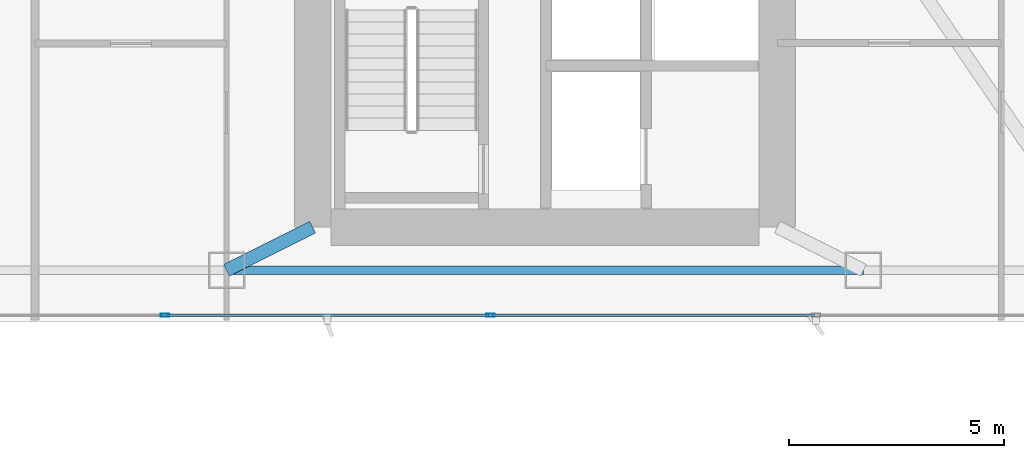
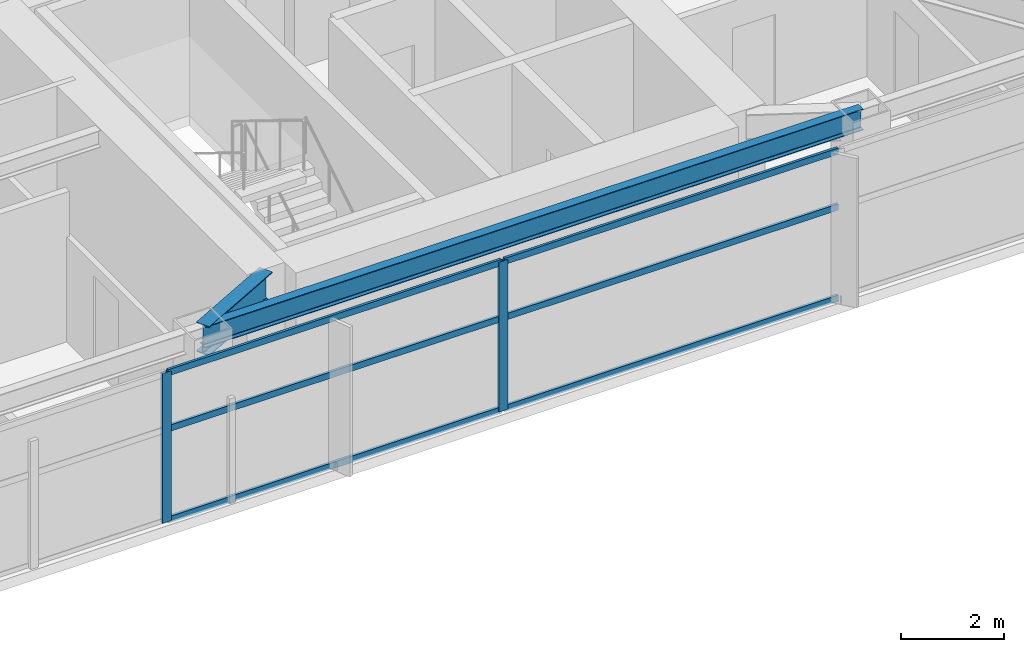
# One storey, part 6 of 28: 8 members, 2 beams, 1 element without a shape of its own.
"""IFC4 building model written with IfcOpenShell, lengths in metres."""

from ifc_helpers import new_model, si_unit, direction, frame, origin, origin_2d, place, context, subcontext, project, spatial, hollow_rectangle, i_section, extrude, material, layer, layer_set, material_profile, profile_set, type_object, element, aggregate, save


model = new_model("IFC4")

# Units and contexts
model_context = context("Model", 3, precision=1e-05, world=origin(), true_north=direction((0.0, 1.0)))
body_context = subcontext(model_context, "Body", "Model", "MODEL_VIEW")
ifc_project = project(units=[si_unit("LENGTHUNIT", "METRE"), si_unit("AREAUNIT", "SQUARE_METRE"), si_unit("VOLUMEUNIT", "CUBIC_METRE"), si_unit("PLANEANGLEUNIT", "RADIAN"), si_unit("MASSUNIT", "GRAM", prefix="KILO")], contexts=[model_context])

# Site, building, storey
site_placement = place(None, origin())
site = spatial("IfcSite", under=ifc_project, at=site_placement, CompositionType="ELEMENT")
building_placement = place(site_placement, origin())
building = spatial("IfcBuilding", under=site, at=building_placement, Name="Calvorn Quay Hotel", CompositionType="ELEMENT")
storey_placement = place(building_placement, frame((0.0, 0.0, 112.60009765625)))
storey = spatial("IfcBuildingStorey", under=building, at=storey_placement, Name="L27", CompositionType="ELEMENT", Elevation=112.60009765625)

# Beams
ifc_material_1 = material(Name="Steel Q390GJC", Category="steel")
ifc_material_profile_1 = material_profile(ifc_material_1, i_section(OverallWidth=0.300048828125, OverallDepth=0.699951171875, WebThickness=0.012939453125, FlangeThickness=0.02392578125, FilletRadius=0.02392578125, at=origin_2d()), Name="HN700x300x13x24")
ifc_profile_set_1 = profile_set([ifc_material_profile_1], Name="Steel Q390GJC")
beam_type_1 = type_object("IfcBeamType", Name="BM-GIRD-MAIN", PredefinedType="BEAM", material=ifc_profile_set_1)
beam_1_placement = place(storey_placement, frame((19.60009765625, 3.60009765625, 3.18994140625), z_axis=(0.894427191, 0.4472135955, 0.0), x_axis=(-0.4472135955, 0.894427191, 0.0)))
element("IfcBeam", 1, at=beam_1_placement, inside=storey, type_object=beam_type_1, Name="Beam BG-L27-S2", PredefinedType="BEAM", context=body_context, shape_type="SweptSolid", body=[
    extrude(i_section(OverallWidth=0.300048828125, OverallDepth=0.699951171875, WebThickness=0.012939453125, FlangeThickness=0.02392578125, FilletRadius=0.02392578125, at=origin_2d()), origin(), (0.0, 0.0, 1.0), 2.236083984375),
])
ifc_material_2 = material(Name="Steel Q355B", Category="steel")
ifc_material_profile_2 = material_profile(ifc_material_2, i_section(OverallWidth=0.199951171875, OverallDepth=0.5, WebThickness=0.010009765625, FlangeThickness=0.01611328125, FilletRadius=0.01611328125, at=origin_2d()), Name="HN500x200x10x16")
ifc_profile_set_2 = profile_set([ifc_material_profile_2], Name="Steel Q355B")
beam_type_2 = type_object("IfcBeamType", Name="BM-SPANDREL-Z1", PredefinedType="SPANDREL", material=ifc_profile_set_2)
beam_2_placement = place(storey_placement, frame((19.60009765625, 3.60009765625, 3.289794921875), z_axis=(1.0, 0.0, 0.0), x_axis=(0.0, 1.0, 0.0)))
element("IfcBeam", 2, at=beam_2_placement, inside=storey, type_object=beam_type_2, Name="Beam BSP-L27-S3", PredefinedType="SPANDREL", context=body_context, shape_type="SweptSolid", body=[
    extrude(i_section(OverallWidth=0.199951171875, OverallDepth=0.5, WebThickness=0.010009765625, FlangeThickness=0.01611328125, FilletRadius=0.01611328125, at=origin_2d()), origin(), (0.0, 0.0, 1.0), 14.7998046875),
])

# Curtain wall, members
ifc_material_3 = material(Name="Pale Anodised Aluminium and Low-E Glass", Category="aluminium")
ifc_layer = layer(ifc_material_3, 0.219970703125)
ifc_layer_set = layer_set([ifc_layer], Name="CW-SYS-Z2")
curtain_wall_type = type_object("IfcCurtainWallType", Name="CW-SYS-Z2", PredefinedType="NOTDEFINED", material=ifc_layer_set)
curtain_wall_placement = place(storey_placement, origin())
curtain_wall = element("IfcCurtainWall", 3, at=curtain_wall_placement, inside=storey, type_object=curtain_wall_type, Name="Tower South Waterfront Curtain Wall (L27)", PredefinedType="NOTDEFINED")
ifc_material_4 = material(Name="Pale Anodised Aluminium 6063-T6", Category="aluminium")
ifc_material_profile_3 = material_profile(ifc_material_4, hollow_rectangle(XDim=0.070068359375, YDim=0.199951171875, WallThickness=0.00390625, at=origin_2d()), Name="ALU-M200x70x4")
ifc_profile_set_3 = profile_set([ifc_material_profile_3], Name="Pale Anodised Aluminium 6063-T6")
member_type_1 = type_object("IfcMemberType", Name="CW-SYS-Z2-MUL", PredefinedType="MULLION", material=ifc_profile_set_3)
member_1_placement = place(storey_placement, frame((18.166748046875, 2.550048828125, 0.0), z_axis=(0.0, 0.0, 1.0), x_axis=(0.0, 1.0, 0.0)))
member_1 = element("IfcMember", 4, at=member_1_placement, type_object=member_type_1, Name="CW-L27-S mullion 2", PredefinedType="MULLION", context=body_context, shape_type="SweptSolid", body=[
    extrude(hollow_rectangle(XDim=0.070068359375, YDim=0.199951171875, WallThickness=0.00390625, at=origin_2d()), origin(), (0.0, 0.0, 1.0), 3.559814453125),
])
member_2_placement = place(storey_placement, frame((25.7333984375, 2.550048828125, 0.0), z_axis=(0.0, 0.0, 1.0), x_axis=(0.0, 1.0, 0.0)))
member_2 = element("IfcMember", 5, at=member_2_placement, type_object=member_type_1, Name="CW-L27-S mullion 3", PredefinedType="MULLION", context=body_context, shape_type="SweptSolid", body=[
    extrude(hollow_rectangle(XDim=0.070068359375, YDim=0.199951171875, WallThickness=0.00390625, at=origin_2d()), origin(), (0.0, 0.0, 1.0), 3.559814453125),
])
ifc_material_5 = material(Name="Pale Anodised Aluminium 6063-T6", Category="aluminium")
ifc_material_profile_4 = material_profile(ifc_material_5, hollow_rectangle(XDim=0.06005859375, YDim=0.14990234375, WallThickness=0.00341796875, at=origin_2d()), Name="ALU-T150x60x3.5")
ifc_profile_set_4 = profile_set([ifc_material_profile_4], Name="Pale Anodised Aluminium 6063-T6")
member_type_2 = type_object("IfcMemberType", Name="CW-SYS-Z2-TRN", PredefinedType="USERDEFINED", material=ifc_profile_set_4)
member_3_placement = place(storey_placement, frame((18.19677734375, 2.550048828125, 0.02978515625), z_axis=(1.0, 0.0, 0.0), x_axis=(0.0, 1.0, 0.0)))
member_3 = element("IfcMember", 6, at=member_3_placement, type_object=member_type_2, Name="CW-L27-S transom 2.1", ObjectType="TRANSOM", PredefinedType="USERDEFINED", context=body_context, shape_type="SweptSolid", body=[
    extrude(hollow_rectangle(XDim=0.06005859375, YDim=0.14990234375, WallThickness=0.00341796875, at=origin_2d()), origin(), (0.0, 0.0, 1.0), 7.506591796875),
])
member_4_placement = place(storey_placement, frame((18.19677734375, 2.550048828125, 2.199951171875), z_axis=(1.0, 0.0, 0.0), x_axis=(0.0, 1.0, 0.0)))
member_4 = element("IfcMember", 7, at=member_4_placement, type_object=member_type_2, Name="CW-L27-S transom 2.2", ObjectType="TRANSOM", PredefinedType="USERDEFINED", context=body_context, shape_type="SweptSolid", body=[
    extrude(hollow_rectangle(XDim=0.06005859375, YDim=0.14990234375, WallThickness=0.00341796875, at=origin_2d()), origin(), (0.0, 0.0, 1.0), 7.506591796875),
])
member_5_placement = place(storey_placement, frame((18.19677734375, 2.550048828125, 3.52978515625), z_axis=(1.0, 0.0, 0.0), x_axis=(0.0, 1.0, 0.0)))
member_5 = element("IfcMember", 8, at=member_5_placement, type_object=member_type_2, Name="CW-L27-S transom 2.3", ObjectType="TRANSOM", PredefinedType="USERDEFINED", context=body_context, shape_type="SweptSolid", body=[
    extrude(hollow_rectangle(XDim=0.06005859375, YDim=0.14990234375, WallThickness=0.00341796875, at=origin_2d()), origin(), (0.0, 0.0, 1.0), 7.506591796875),
])
member_6_placement = place(storey_placement, frame((25.763427734375, 2.550048828125, 0.02978515625), z_axis=(1.0, 0.0, 0.0), x_axis=(0.0, 1.0, 0.0)))
member_6 = element("IfcMember", 9, at=member_6_placement, type_object=member_type_2, Name="CW-L27-S transom 3.1", ObjectType="TRANSOM", PredefinedType="USERDEFINED", context=body_context, shape_type="SweptSolid", body=[
    extrude(hollow_rectangle(XDim=0.06005859375, YDim=0.14990234375, WallThickness=0.00341796875, at=origin_2d()), origin(), (0.0, 0.0, 1.0), 7.506591796875),
])
member_7_placement = place(storey_placement, frame((25.763427734375, 2.550048828125, 2.199951171875), z_axis=(1.0, 0.0, 0.0), x_axis=(0.0, 1.0, 0.0)))
member_7 = element("IfcMember", 10, at=member_7_placement, type_object=member_type_2, Name="CW-L27-S transom 3.2", ObjectType="TRANSOM", PredefinedType="USERDEFINED", context=body_context, shape_type="SweptSolid", body=[
    extrude(hollow_rectangle(XDim=0.06005859375, YDim=0.14990234375, WallThickness=0.00341796875, at=origin_2d()), origin(), (0.0, 0.0, 1.0), 7.506591796875),
])
member_8_placement = place(storey_placement, frame((25.763427734375, 2.550048828125, 3.52978515625), z_axis=(1.0, 0.0, 0.0), x_axis=(0.0, 1.0, 0.0)))
member_8 = element("IfcMember", 11, at=member_8_placement, type_object=member_type_2, Name="CW-L27-S transom 3.3", ObjectType="TRANSOM", PredefinedType="USERDEFINED", context=body_context, shape_type="SweptSolid", body=[
    extrude(hollow_rectangle(XDim=0.06005859375, YDim=0.14990234375, WallThickness=0.00341796875, at=origin_2d()), origin(), (0.0, 0.0, 1.0), 7.506591796875),
])
aggregate(curtain_wall, [member_1, member_2, member_3, member_4, member_5, member_6, member_7, member_8])

save(model, "model.ifc")
